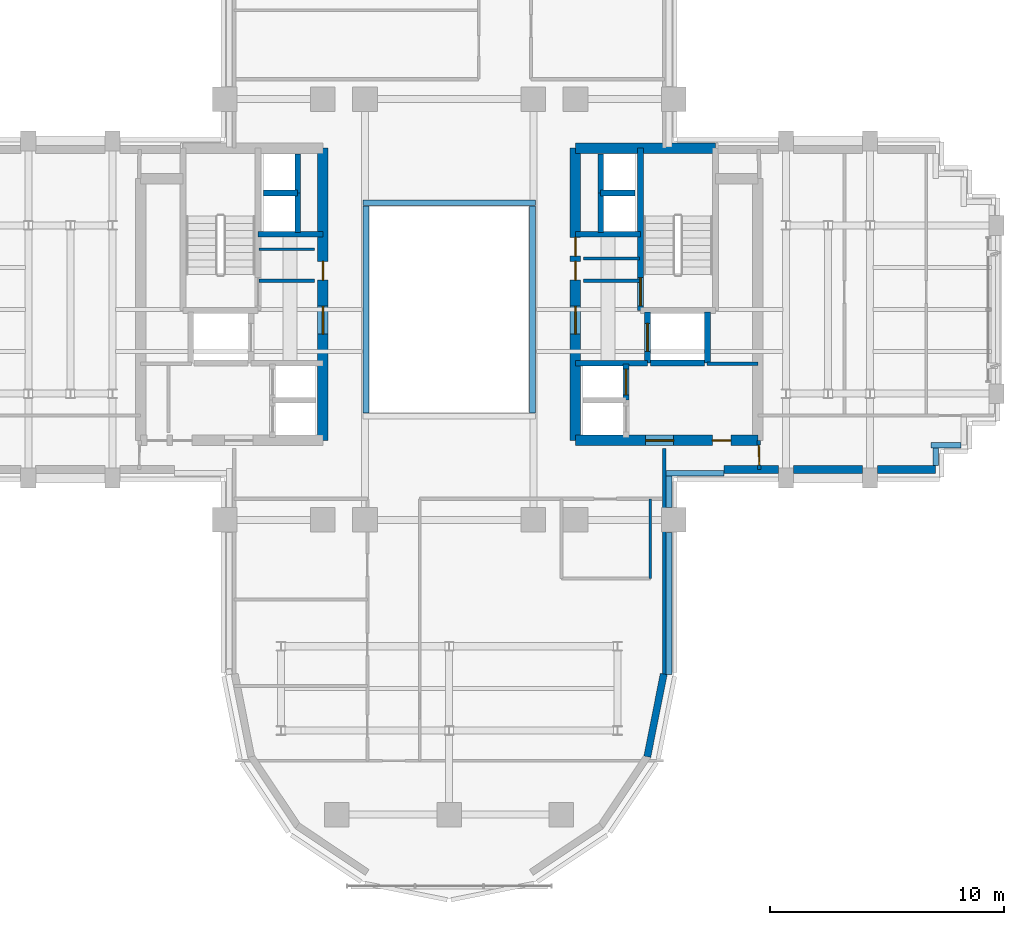
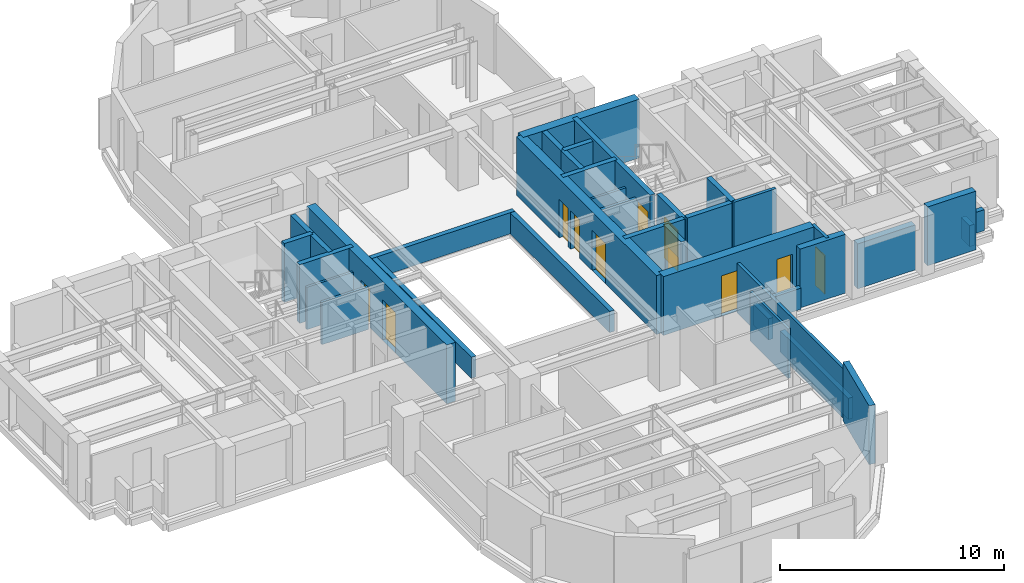
# One storey, part 9 of 14: 38 walls, 11 doors, 11 openings.
"""IFC4 building model written with IfcOpenShell, lengths in metres."""

from ifc_helpers import new_model, si_unit, direction, frame, frame_2d, origin, place, context, subcontext, project, spatial, rectangle, extrude, source, transform, mapped, material, layer, layer_set, type_object, element, fill, save


model = new_model("IFC4")

# Units and contexts
model_context = context("Model", 3, precision=1e-05, world=origin(), true_north=direction((0.0, 1.0)))
body_context = subcontext(model_context, "Body", "Model", "MODEL_VIEW")
ifc_project = project(units=[si_unit("LENGTHUNIT", "METRE"), si_unit("AREAUNIT", "SQUARE_METRE"), si_unit("VOLUMEUNIT", "CUBIC_METRE"), si_unit("PLANEANGLEUNIT", "RADIAN"), si_unit("MASSUNIT", "GRAM", prefix="KILO")], contexts=[model_context])

# Site, building, storey
site_placement = place(None, origin())
site = spatial("IfcSite", under=ifc_project, at=site_placement, CompositionType="ELEMENT")
building_placement = place(site_placement, origin())
building = spatial("IfcBuilding", under=site, at=building_placement, Name="Keilestroom Media Tower", CompositionType="ELEMENT")
storey_placement = place(building_placement, frame((0.0, 0.0, 127.800048828125)))
storey = spatial("IfcBuildingStorey", under=building, at=storey_placement, Name="L34", CompositionType="ELEMENT", Elevation=127.800048828125)

# Walls
ifc_material_1 = material(Name="Precast concrete C40/50", Category="concrete")
ifc_layer_1 = layer(ifc_material_1, 0.300048828125)
ifc_layer_set_1 = layer_set([ifc_layer_1], Name="Precast concrete C40/50")
wall_type_1 = type_object("IfcWallType", Name="Exterior-Masonry-Spandrel-Wall-300", PredefinedType="SOLIDWALL", material=ifc_layer_set_1)
wall_1_placement = place(storey_placement, frame((8.470703125, -19.12451171875, 0.0), z_axis=(0.0, 0.0, 1.0), x_axis=(0.195114232679, 0.980780523974, 0.0)))
element("IfcWall", 1, at=wall_1_placement, inside=storey, type_object=wall_type_1, Name="L34 Lobe Facet Precast Frame Wall 12", PredefinedType="SOLIDWALL", context=body_context, shape_type="SweptSolid", body=[
    extrude(rectangle(XDim=3.608642578125, YDim=0.300048828125, at=frame_2d((1.80419921875, 0.0))), origin(), (0.0, 0.0, 1.0), 3.199951171875),
])
ifc_layer_2 = layer(ifc_material_1, 0.340087890625)
ifc_layer_set_2 = layer_set([ifc_layer_2], Name="Precast concrete C40/50")
wall_type_2 = type_object("IfcWallType", Name="Exterior-Masonry-Spandrel-Wall-340", PredefinedType="SOLIDWALL", material=ifc_layer_set_2)
wall_2_placement = place(storey_placement, frame((11.75, -6.85009765625, 0.0), z_axis=(0.0, 0.0, 1.0), x_axis=(1.0, 0.0, 0.0)))
element("IfcWall", 2, at=wall_2_placement, inside=storey, type_object=wall_type_2, Name="L34 Flank Masonry Wall EWL-L34-SE-1", PredefinedType="SOLIDWALL", context=body_context, shape_type="SweptSolid", body=[
    extrude(rectangle(XDim=2.3330078125, YDim=0.340087890625, at=frame_2d((1.16650390625, 0.0))), origin(), (0.0, 0.0, 1.0), 3.199951171875),
])
wall_3_placement = place(storey_placement, frame((14.717041015625, -6.85009765625, 0.0), z_axis=(0.0, 0.0, 1.0), x_axis=(1.0, 0.0, 0.0)))
element("IfcWall", 3, at=wall_3_placement, inside=storey, type_object=wall_type_2, Name="L34 Flank Masonry Wall EWL-L34-SE-2", PredefinedType="SOLIDWALL", context=body_context, shape_type="SweptSolid", body=[
    extrude(rectangle(XDim=2.966064453125, YDim=0.340087890625, at=frame_2d((1.48291015625, 0.0))), origin(), (0.0, 0.0, 1.0), 2.449951171875),
])
wall_4_placement = place(storey_placement, frame((18.31689453125, -6.85009765625, 0.0), z_axis=(0.0, 0.0, 1.0), x_axis=(1.0, 0.0, 0.0)))
element("IfcWall", 4, at=wall_4_placement, inside=storey, type_object=wall_type_2, Name="L34 Flank Masonry Wall EWL-L34-SE-3", PredefinedType="SOLIDWALL", context=body_context, shape_type="SweptSolid", body=[
    extrude(rectangle(XDim=2.483154296875, YDim=0.340087890625, at=frame_2d((1.24169921875, 0.0))), origin(), (0.0, 0.0, 1.0), 3.199951171875),
])
ifc_material_2 = material(Name="Gypsum Plasterboard & Steel Stud", Category="steel")
ifc_layer_3 = layer(ifc_material_2, 0.1201171875)
ifc_layer_set_3 = layer_set([ifc_layer_3], Name="Gypsum Plasterboard & Steel Stud")
wall_type_3 = type_object("IfcWallType", Name="Interior-Partition-Wall-120", PredefinedType="PARTITIONING", material=ifc_layer_set_3)
for number, where, z_axis, x_axis, name in (
    (5, (-8.139892578125, 2.580078125, 0.0), (0.0, 0.0, 1.0), (1.0, 0.0, 0.0), "L34 Interior Wall WP-L34-CNW-N"),
    (6, (5.75, 2.179931640625, 0.0), (0.0, 0.0, 1.0), (1.0, 0.0, 0.0), "L34 Interior Wall WP-L34-CNE-N"),
):
    element("IfcWall", number, at=place(storey_placement, frame(where, z_axis=z_axis, x_axis=x_axis)), inside=storey, type_object=wall_type_3, Name=name, PredefinedType="PARTITIONING", context=body_context, shape_type="SweptSolid", body=[
        extrude(rectangle(XDim=2.389892578125, YDim=0.1201171875, at=frame_2d((1.19482421875, 0.0))), origin(), (0.0, 0.0, 1.0), 2.300048828125),
    ])
wall_5_placement = place(storey_placement, frame((8.60009765625, -11.5, 0.0), z_axis=(0.0, 0.0, 1.0), x_axis=(0.0, 1.0, 0.0)))
element("IfcWall", 7, at=wall_5_placement, inside=storey, type_object=wall_type_3, Name="L34 Interior Wall WP-L34-SL-WC-E", PredefinedType="PARTITIONING", context=body_context, shape_type="SweptSolid", body=[
    extrude(rectangle(XDim=3.39990234375, YDim=0.1201171875, at=frame_2d((1.699951171875, 0.0))), origin(), (0.0, 0.0, 1.0), 2.699951171875),
])
ifc_layer_4 = layer(ifc_material_2, 0.14990234375)
ifc_layer_set_4 = layer_set([ifc_layer_4], Name="Gypsum Plasterboard & Steel Stud")
wall_type_4 = type_object("IfcWallType", Name="Interior-Partition-Wall-150", PredefinedType="PARTITIONING", material=ifc_layer_set_4)
for number, where, z_axis, x_axis, name in (
    (8, (-8.139892578125, 1.239990234375, 0.0), (0.0, 0.0, 1.0), (1.0, 0.0, 0.0), "L34 Interior Wall WP-L34-FFW-TOP"),
    (9, (5.75, 1.239990234375, 0.0), (0.0, 0.0, 1.0), (1.0, 0.0, 0.0), "L34 Interior Wall WP-L34-FFE-TOP"),
):
    element("IfcWall", number, at=place(storey_placement, frame(where, z_axis=z_axis, x_axis=x_axis)), inside=storey, type_object=wall_type_4, Name=name, PredefinedType="PARTITIONING", context=body_context, shape_type="SweptSolid", body=[
        extrude(rectangle(XDim=2.389892578125, YDim=0.14990234375, at=frame_2d((1.19482421875, 0.0))), origin(), (0.0, 0.0, 1.0), 2.300048828125),
    ])
wall_6_placement = place(storey_placement, frame((11.02001953125, -2.320068359375, 0.0), z_axis=(0.0, 0.0, 1.0), x_axis=(1.0, 0.0, 0.0)))
element("IfcWall", 10, at=wall_6_placement, inside=storey, type_object=wall_type_4, Name="L34 Interior Wall WP-L34-RECLE-N", PredefinedType="PARTITIONING", context=body_context, shape_type="SweptSolid", body=[
    extrude(rectangle(XDim=2.179931640625, YDim=0.14990234375, at=frame_2d((1.08984375, 0.0))), origin(), (0.0, 0.0, 1.0), 3.199951171875),
])
wall_7_placement = place(storey_placement, frame((9.199951171875, -15.679931640625, 0.0), z_axis=(0.0, 0.0, 1.0), x_axis=(0.0, 1.0, 0.0)))
element("IfcWall", 11, at=wall_7_placement, inside=storey, type_object=wall_type_4, Name="L34 Interior Wall WP-L34-SL-CHKE", PredefinedType="PARTITIONING", context=body_context, shape_type="SweptSolid", body=[
    extrude(rectangle(XDim=9.739990234375, YDim=0.14990234375, at=frame_2d((4.8701171875, 0.0))), origin(), (0.0, 0.0, 1.0), 2.699951171875),
])

# Wall, opening, door
wall_8_placement = place(storey_placement, frame((13.260009765625, -6.85009765625, 0.0), z_axis=(0.0, 0.0, 1.0), x_axis=(-0.016013571389, 0.999871774545, 0.0)))
wall_8 = element("IfcWall", 12, at=wall_8_placement, inside=storey, type_object=wall_type_4, Name="L34 Interior Wall WP-L34-EA-ENTS", PredefinedType="PARTITIONING", context=body_context, shape_type="SweptSolid", body=[
    extrude(rectangle(XDim=1.250244140625, YDim=0.14990234375, at=frame_2d((0.625, 0.0))), origin(), (0.0, 0.0, 1.0), 3.199951171875),
])
opening_1_placement = place(wall_8_placement, frame((0.199951171875, 0.0, 0.0)))
opening_1 = element("IfcOpeningElement", 13, at=opening_1_placement, cuts=wall_8, Name="Opening DI-05", PredefinedType="OPENING", context=body_context, shape_type="SweptSolid", body=[
    extrude(rectangle(XDim=0.85009765625, YDim=2.10009765625, at=frame_2d((0.425048828125, 1.050048828125))), frame((0.0, 0.0849609375, 0.0), z_axis=(0.0, -1.0, 0.0), x_axis=(1.0, 0.0, 0.0)), (0.0, 0.0, 1.0), 0.169921875),
])
ifc_material_3 = material(Name="Moisture-Resistant Oak Leaf", Category="wood")
door_type_1 = type_object("IfcDoorType", Name="Interior-En-Suite-And-Cupboard-Door-DI-05", OperationType="NOTDEFINED", PredefinedType="DOOR", material=ifc_material_3)
shared_shape_1 = source(origin(), body_context, "Body", "SweptSolid", [
    extrude(rectangle(XDim=0.85009765625, YDim=2.10009765625, at=frame_2d((0.425048828125, 1.050048828125))), frame((0.0, 0.02490234375, 0.0), z_axis=(0.0, -1.0, 0.0), x_axis=(1.0, 0.0, 0.0)), (0.0, 0.0, 1.0), 0.050048828125),
])
door_1_placement = place(opening_1_placement, origin())
door_1 = element("IfcDoor", 14, at=door_1_placement, inside=storey, type_object=door_type_1, Name="L34 Interior Door DI-L34-DEA-ENTS", OperationType="SINGLE_SWING_RIGHT", OverallHeight=2.10009765625, OverallWidth=0.85009765625, PredefinedType="DOOR", context=body_context, shape_type="MappedRepresentation", body=[
    mapped(shared_shape_1, transform((0.0, 0.0, 0.0), x_axis=(1.0, 0.0, 0.0), y_axis=(0.0, 1.0, 0.0), z_axis=(0.0, 0.0, 1.0), scale=1.0)),
])
fill(opening_1, door_1)

# Wall, openings, doors
ifc_material_4 = material(Name="Concrete C55/67", Category="concrete")
ifc_layer_5 = layer(ifc_material_4, 0.449951171875)
ifc_layer_set_5 = layer_set([ifc_layer_5], Name="Concrete C55/67")
wall_type_5 = type_object("IfcWallType", Name="Reinforced-Concrete-Core-Shear-Wall-450", PredefinedType="SHEAR", material=ifc_layer_set_5)
wall_9_placement = place(storey_placement, frame((-5.39990234375, -5.60009765625, 0.0), z_axis=(0.0, 0.0, 1.0), x_axis=(0.0, 1.0, 0.0)))
wall_9 = element("IfcWall", 15, at=wall_9_placement, inside=storey, type_object=wall_type_5, Name="L34 Core Shear Wall WL-L34-CORE-W-IN", PredefinedType="SHEAR", context=body_context, shape_type="SweptSolid", body=[
    extrude(rectangle(XDim=12.5, YDim=0.449951171875, at=frame_2d((6.25, 0.0))), origin(), (0.0, 0.0, 1.0), 3.199951171875),
])
opening_2_placement = place(wall_9_placement, frame((4.550048828125, 0.0, 0.0)))
opening_2 = element("IfcOpeningElement", 16, at=opening_2_placement, cuts=wall_9, Name="Opening DI-02", PredefinedType="OPENING", context=body_context, shape_type="SweptSolid", body=[
    extrude(rectangle(XDim=1.199951171875, YDim=2.199951171875, at=frame_2d((0.60009765625, 1.10009765625))), frame((0.0, 0.23486328125, 0.0), z_axis=(0.0, -1.0, 0.0), x_axis=(1.0, 0.0, 0.0)), (0.0, 0.0, 1.0), 0.469970703125),
])
opening_3_placement = place(wall_9_placement, frame((6.860107421875, 0.0, 0.0)))
opening_3 = element("IfcOpeningElement", 17, at=opening_3_placement, cuts=wall_9, Name="Opening DI-06", PredefinedType="OPENING", context=body_context, shape_type="SweptSolid", body=[
    extrude(rectangle(XDim=0.800048828125, YDim=2.10009765625, at=frame_2d((0.39990234375, 1.050048828125))), frame((0.0, 0.23486328125, 0.0), z_axis=(0.0, -1.0, 0.0), x_axis=(1.0, 0.0, 0.0)), (0.0, 0.0, 1.0), 0.469970703125),
])
ifc_material_5 = material(Name="Powder-Coated Steel Fire Leaf", Category="steel")
door_type_2 = type_object("IfcDoorType", Name="Interior-Compartment-Fire-Door-DI-02", OperationType="NOTDEFINED", PredefinedType="DOOR", material=ifc_material_5)
shared_shape_2 = source(origin(), body_context, "Body", "SweptSolid", [
    extrude(rectangle(XDim=1.199951171875, YDim=2.199951171875, at=frame_2d((0.60009765625, 1.10009765625))), frame((0.0, 0.02490234375, 0.0), z_axis=(0.0, -1.0, 0.0), x_axis=(1.0, 0.0, 0.0)), (0.0, 0.0, 1.0), 0.050048828125),
])
door_2_placement = place(opening_2_placement, origin())
door_2 = element("IfcDoor", 18, at=door_2_placement, inside=storey, type_object=door_type_2, Name="L34 W Firefighting Lobby Door", OperationType="SINGLE_SWING_RIGHT", OverallHeight=2.199951171875, OverallWidth=1.199951171875, PredefinedType="DOOR", context=body_context, shape_type="MappedRepresentation", body=[
    mapped(shared_shape_2, transform((0.0, 0.0, 0.0), x_axis=(1.0, 0.0, 0.0), y_axis=(0.0, 1.0, 0.0), z_axis=(0.0, 0.0, 1.0), scale=1.0)),
])
fill(opening_2, door_2)
ifc_material_6 = material(Name="Powder-Coated Steel Service Leaf", Category="steel")
door_type_3 = type_object("IfcDoorType", Name="Interior-Riser-Access-Door-DI-06", OperationType="NOTDEFINED", PredefinedType="DOOR", material=ifc_material_6)
shared_shape_3 = source(origin(), body_context, "Body", "SweptSolid", [
    extrude(rectangle(XDim=0.800048828125, YDim=2.10009765625, at=frame_2d((0.39990234375, 1.050048828125))), frame((0.0, 0.02490234375, 0.0), z_axis=(0.0, -1.0, 0.0), x_axis=(1.0, 0.0, 0.0)), (0.0, 0.0, 1.0), 0.050048828125),
])
door_3_placement = place(opening_3_placement, origin())
door_3 = element("IfcDoor", 19, at=door_3_placement, inside=storey, type_object=door_type_3, Name="L34 West Core Switchroom Door", OperationType="SINGLE_SWING_LEFT", OverallHeight=2.10009765625, OverallWidth=0.800048828125, PredefinedType="DOOR", context=body_context, shape_type="MappedRepresentation", body=[
    mapped(shared_shape_3, transform((0.0, 0.0, 0.0), x_axis=(1.0, 0.0, 0.0), y_axis=(0.0, 1.0, 0.0), z_axis=(0.0, 0.0, 1.0), scale=1.0)),
])
fill(opening_3, door_3)

wall_10_placement = place(storey_placement, frame((5.39990234375, -5.60009765625, 0.0), z_axis=(0.0, 0.0, 1.0), x_axis=(0.0, 1.0, 0.0)))
wall_10 = element("IfcWall", 20, at=wall_10_placement, inside=storey, type_object=wall_type_5, Name="L34 Core Shear Wall WL-L34-CORE-E-IN", PredefinedType="SHEAR", context=body_context, shape_type="SweptSolid", body=[
    extrude(rectangle(XDim=12.5, YDim=0.449951171875, at=frame_2d((6.25, 0.0))), origin(), (0.0, 0.0, 1.0), 3.199951171875),
])
opening_4_placement = place(wall_10_placement, frame((4.550048828125, 0.0, 0.0)))
opening_4 = element("IfcOpeningElement", 21, at=opening_4_placement, cuts=wall_10, Name="Opening DI-02", PredefinedType="OPENING", context=body_context, shape_type="SweptSolid", body=[
    extrude(rectangle(XDim=1.199951171875, YDim=2.199951171875, at=frame_2d((0.60009765625, 1.10009765625))), frame((0.0, 0.23486328125, 0.0), z_axis=(0.0, -1.0, 0.0), x_axis=(1.0, 0.0, 0.0)), (0.0, 0.0, 1.0), 0.469970703125),
])
opening_5_placement = place(wall_10_placement, frame((6.860107421875, 0.0, 0.0)))
opening_5 = element("IfcOpeningElement", 22, at=opening_5_placement, cuts=wall_10, Name="Opening DI-06", PredefinedType="OPENING", context=body_context, shape_type="SweptSolid", body=[
    extrude(rectangle(XDim=0.800048828125, YDim=2.10009765625, at=frame_2d((0.39990234375, 1.050048828125))), frame((0.0, 0.23486328125, 0.0), z_axis=(0.0, -1.0, 0.0), x_axis=(1.0, 0.0, 0.0)), (0.0, 0.0, 1.0), 0.469970703125),
])
opening_6_placement = place(wall_10_placement, frame((7.8798828125, 0.0, 0.0)))
opening_6 = element("IfcOpeningElement", 23, at=opening_6_placement, cuts=wall_10, Name="Opening DI-06", PredefinedType="OPENING", context=body_context, shape_type="SweptSolid", body=[
    extrude(rectangle(XDim=0.800048828125, YDim=2.10009765625, at=frame_2d((0.39990234375, 1.050048828125))), frame((0.0, 0.23486328125, 0.0), z_axis=(0.0, -1.0, 0.0), x_axis=(1.0, 0.0, 0.0)), (0.0, 0.0, 1.0), 0.469970703125),
])
door_4_placement = place(opening_4_placement, origin())
door_4 = element("IfcDoor", 24, at=door_4_placement, inside=storey, type_object=door_type_2, Name="L34 E Firefighting Lobby Door", OperationType="SINGLE_SWING_LEFT", OverallHeight=2.199951171875, OverallWidth=1.199951171875, PredefinedType="DOOR", context=body_context, shape_type="MappedRepresentation", body=[
    mapped(shared_shape_2, transform((0.0, 0.0, 0.0), x_axis=(1.0, 0.0, 0.0), y_axis=(0.0, 1.0, 0.0), z_axis=(0.0, 0.0, 1.0), scale=1.0)),
])
fill(opening_4, door_4)
door_5_placement = place(opening_5_placement, origin())
door_5 = element("IfcDoor", 25, at=door_5_placement, inside=storey, type_object=door_type_3, Name="L34 East Core Telecom Door", OperationType="SINGLE_SWING_RIGHT", OverallHeight=2.10009765625, OverallWidth=0.800048828125, PredefinedType="DOOR", context=body_context, shape_type="MappedRepresentation", body=[
    mapped(shared_shape_3, transform((0.0, 0.0, 0.0), x_axis=(1.0, 0.0, 0.0), y_axis=(0.0, 1.0, 0.0), z_axis=(0.0, 0.0, 1.0), scale=1.0)),
])
fill(opening_5, door_5)
door_6_placement = place(opening_6_placement, origin())
door_6 = element("IfcDoor", 26, at=door_6_placement, inside=storey, type_object=door_type_3, Name="L34 East Core Closet Door", OperationType="SINGLE_SWING_RIGHT", OverallHeight=2.10009765625, OverallWidth=0.800048828125, PredefinedType="DOOR", context=body_context, shape_type="MappedRepresentation", body=[
    mapped(shared_shape_3, transform((0.0, 0.0, 0.0), x_axis=(1.0, 0.0, 0.0), y_axis=(0.0, 1.0, 0.0), z_axis=(0.0, 0.0, 1.0), scale=1.0)),
])
fill(opening_6, door_6)

# Wall
wall_11_placement = place(storey_placement, frame((5.39990234375, 6.89990234375, 0.0), z_axis=(0.0, 0.0, 1.0), x_axis=(1.0, 0.0, 0.0)))
element("IfcWall", 27, at=wall_11_placement, inside=storey, type_object=wall_type_5, Name="L34 Core Shear Wall WL-L34-CORE-E-N", PredefinedType="SHEAR", context=body_context, shape_type="SweptSolid", body=[
    extrude(rectangle(XDim=5.981201171875, YDim=0.449951171875, at=frame_2d((2.99072265625, 0.0))), origin(), (0.0, 0.0, 1.0), 3.199951171875),
])

# Wall, openings, doors
wall_12_placement = place(storey_placement, frame((5.39990234375, -5.60009765625, 0.0), z_axis=(0.0, 0.0, 1.0), x_axis=(1.0, 0.0, 0.0)))
wall_12 = element("IfcWall", 28, at=wall_12_placement, inside=storey, type_object=wall_type_5, Name="L34 Core Shear Wall WL-L34-CORE-E-S", PredefinedType="SHEAR", context=body_context, shape_type="SweptSolid", body=[
    extrude(rectangle(XDim=7.800048828125, YDim=0.449951171875, at=frame_2d((3.89990234375, 0.0))), origin(), (0.0, 0.0, 1.0), 3.199951171875),
])
opening_7_placement = place(wall_12_placement, frame((3.0, 0.0, 0.0)))
opening_7 = element("IfcOpeningElement", 29, at=opening_7_placement, cuts=wall_12, Name="Opening DI-02", PredefinedType="OPENING", context=body_context, shape_type="SweptSolid", body=[
    extrude(rectangle(XDim=1.199951171875, YDim=2.199951171875, at=frame_2d((0.60009765625, 1.10009765625))), frame((0.0, 0.23486328125, 0.0), z_axis=(0.0, -1.0, 0.0), x_axis=(1.0, 0.0, 0.0)), (0.0, 0.0, 1.0), 0.469970703125),
])
opening_8_placement = place(wall_12_placement, frame((5.85009765625, 0.0, 0.0)))
opening_8 = element("IfcOpeningElement", 30, at=opening_8_placement, cuts=wall_12, Name="Opening DI-06", PredefinedType="OPENING", context=body_context, shape_type="SweptSolid", body=[
    extrude(rectangle(XDim=0.800048828125, YDim=2.10009765625, at=frame_2d((0.39990234375, 1.050048828125))), frame((0.0, 0.23486328125, 0.0), z_axis=(0.0, -1.0, 0.0), x_axis=(1.0, 0.0, 0.0)), (0.0, 0.0, 1.0), 0.469970703125),
])
door_7_placement = place(opening_7_placement, origin())
door_7 = element("IfcDoor", 31, at=door_7_placement, inside=storey, type_object=door_type_2, Name="L34 E Passenger Lift Lobby Door", OperationType="SINGLE_SWING_RIGHT", OverallHeight=2.199951171875, OverallWidth=1.199951171875, PredefinedType="DOOR", context=body_context, shape_type="MappedRepresentation", body=[
    mapped(shared_shape_2, transform((0.0, 0.0, 0.0), x_axis=(1.0, 0.0, 0.0), y_axis=(0.0, 1.0, 0.0), z_axis=(0.0, 0.0, 1.0), scale=1.0)),
])
fill(opening_7, door_7)
door_8_placement = place(opening_8_placement, origin())
door_8 = element("IfcDoor", 32, at=door_8_placement, inside=storey, type_object=door_type_3, Name="L34 Reclaimed East Core Room Door", OperationType="SINGLE_SWING_RIGHT", OverallHeight=2.10009765625, OverallWidth=0.800048828125, PredefinedType="DOOR", context=body_context, shape_type="MappedRepresentation", body=[
    mapped(shared_shape_3, transform((0.0, 0.0, 0.0), x_axis=(1.0, 0.0, 0.0), y_axis=(0.0, 1.0, 0.0), z_axis=(0.0, 0.0, 1.0), scale=1.0)),
])
fill(opening_8, door_8)

# Walls
ifc_material_7 = material(Name="Concrete C50/60", Category="concrete")
ifc_layer_6 = layer(ifc_material_7, 0.25)
ifc_layer_set_6 = layer_set([ifc_layer_6], Name="Concrete C50/60")
wall_type_6 = type_object("IfcWallType", Name="Reinforced-Concrete-Shaft-Wall-250", PredefinedType="SOLIDWALL", material=ifc_layer_set_6)
for number, where, z_axis, x_axis, name in (
    (33, (-8.179931640625, 3.219970703125, 0.0), (0.0, 0.0, 1.0), (1.0, 0.0, 0.0), "L34 Core Shear Wall WL-L34-CORE-W-FFN"),
    (34, (5.39990234375, 3.219970703125, 0.0), (0.0, 0.0, 1.0), (1.0, 0.0, 0.0), "L34 Core Shear Wall WL-L34-CORE-E-FFN"),
):
    element("IfcWall", number, at=place(storey_placement, frame(where, z_axis=z_axis, x_axis=x_axis)), inside=storey, type_object=wall_type_6, Name=name, PredefinedType="SOLIDWALL", context=body_context, shape_type="SweptSolid", body=[
        extrude(rectangle(XDim=2.780029296875, YDim=0.25, at=frame_2d((1.39013671875, 0.0))), origin(), (0.0, 0.0, 1.0), 3.199951171875),
    ])
wall_13_placement = place(storey_placement, frame((5.39990234375, -2.300048828125, 0.0), z_axis=(0.0, 0.0, 1.0), x_axis=(1.0, 0.0, 0.0)))
element("IfcWall", 35, at=wall_13_placement, inside=storey, type_object=wall_type_6, Name="L34 Core Shear Wall WL-L34-CORE-E-FFS", PredefinedType="SOLIDWALL", context=body_context, shape_type="SweptSolid", body=[
    extrude(rectangle(XDim=3.080078125, YDim=0.25, at=frame_2d((1.5400390625, 0.0))), origin(), (0.0, 0.0, 1.0), 3.199951171875),
])

# Wall, opening, door
wall_14_placement = place(storey_placement, frame((8.178955078125, -0.041015625, 0.0), z_axis=(0.0, 0.0, 1.0), x_axis=(0.0, 1.0, 0.0)))
wall_14 = element("IfcWall", 36, at=wall_14_placement, inside=storey, type_object=wall_type_6, Name="L34 Core Shear Wall WL-L34-STW-E-NEAR", PredefinedType="SOLIDWALL", context=body_context, shape_type="SweptSolid", body=[
    extrude(rectangle(XDim=6.94091796875, YDim=0.25, at=frame_2d((3.470458984375, 0.0))), origin(), (0.0, 0.0, 1.0), 3.199951171875),
])
opening_9_placement = place(wall_14_placement, frame((0.199951171875, 0.0, 0.0)))
opening_9 = element("IfcOpeningElement", 37, at=opening_9_placement, cuts=wall_14, Name="Opening DI-01S", PredefinedType="OPENING", context=body_context, shape_type="SweptSolid", body=[
    extrude(rectangle(XDim=1.199951171875, YDim=2.199951171875, at=frame_2d((0.60009765625, 1.10009765625))), frame((0.0, 0.135009765625, 0.0), z_axis=(0.0, -1.0, 0.0), x_axis=(1.0, 0.0, 0.0)), (0.0, 0.0, 1.0), 0.27001953125),
])
door_type_4 = type_object("IfcDoorType", Name="Interior-Stair-And-Core-Fire-Door-DI-01", OperationType="NOTDEFINED", PredefinedType="DOOR", material=ifc_material_5)
door_9_placement = place(opening_9_placement, origin())
door_9 = element("IfcDoor", 38, at=door_9_placement, inside=storey, type_object=door_type_4, Name="L34 Escape Stair ST-2 Fire Door", OperationType="SINGLE_SWING_RIGHT", OverallHeight=2.199951171875, OverallWidth=1.199951171875, PredefinedType="DOOR", context=body_context, shape_type="MappedRepresentation", body=[
    mapped(shared_shape_2, transform((0.0, 0.0, 0.0), x_axis=(1.0, 0.0, 0.0), y_axis=(0.0, 1.0, 0.0), z_axis=(0.0, 0.0, 1.0), scale=1.0)),
])
fill(opening_9, door_9)

wall_15_placement = place(storey_placement, frame((8.47998046875, -2.280029296875, 0.0), z_axis=(0.0, 0.0, 1.0), x_axis=(0.0, 1.0, 0.0)))
wall_15 = element("IfcWall", 39, at=wall_15_placement, inside=storey, type_object=wall_type_6, Name="L34 Core Shear Wall WL-L34-LSH-FFL-2-W", PredefinedType="SOLIDWALL", context=body_context, shape_type="SweptSolid", body=[
    extrude(rectangle(XDim=2.179931640625, YDim=0.25, at=frame_2d((1.08984375, 0.0))), origin(), (0.0, 0.0, 1.0), 3.199951171875),
])
opening_10_placement = place(wall_15_placement, frame((0.489990234375, 0.0, 0.0)))
opening_10 = element("IfcOpeningElement", 40, at=opening_10_placement, cuts=wall_15, Name="Opening LD-02", PredefinedType="OPENING", context=body_context, shape_type="SweptSolid", body=[
    extrude(rectangle(XDim=1.199951171875, YDim=2.199951171875, at=frame_2d((0.60009765625, 1.10009765625))), frame((0.0, 0.135009765625, 0.0), z_axis=(0.0, -1.0, 0.0), x_axis=(1.0, 0.0, 0.0)), (0.0, 0.0, 1.0), 0.27001953125),
])
ifc_material_8 = material(Name="Brushed Stainless Steel Sliding Leaf", Category="steel")
door_type_5 = type_object("IfcDoorType", Name="Lift-Landing-Sliding-Door-LD-02", OperationType="SLIDING_TO_RIGHT", PredefinedType="DOOR", material=ifc_material_8)
door_10_placement = place(opening_10_placement, origin())
door_10 = element("IfcDoor", 41, at=door_10_placement, inside=storey, type_object=door_type_5, Name="L34 Lift FFL-2 Landing Sliding Door", OperationType="SLIDING_TO_RIGHT", OverallHeight=2.199951171875, OverallWidth=1.199951171875, PredefinedType="DOOR", context=body_context, shape_type="MappedRepresentation", body=[
    mapped(shared_shape_2, transform((0.0, 0.0, 0.0), x_axis=(1.0, 0.0, 0.0), y_axis=(0.0, 1.0, 0.0), z_axis=(0.0, 0.0, 1.0), scale=1.0)),
])
fill(opening_10, door_10)

# Walls
wall_16_placement = place(storey_placement, frame((11.050048828125, -2.280029296875, 0.0), z_axis=(0.0, 0.0, 1.0), x_axis=(0.0, 1.0, 0.0)))
element("IfcWall", 42, at=wall_16_placement, inside=storey, type_object=wall_type_6, Name="L34 Core Shear Wall WL-L34-LSH-FFL-2-E", PredefinedType="SOLIDWALL", context=body_context, shape_type="SweptSolid", body=[
    extrude(rectangle(XDim=2.179931640625, YDim=0.25, at=frame_2d((1.08984375, 0.0))), origin(), (0.0, 0.0, 1.0), 3.199951171875),
])
wall_17_placement = place(storey_placement, frame((8.60888671875, -2.280029296875, 0.0), z_axis=(0.0, 0.0, 1.0), x_axis=(1.0, 0.0, 0.0)))
element("IfcWall", 43, at=wall_17_placement, inside=storey, type_object=wall_type_6, Name="L34 Core Shear Wall WL-L34-LSH-FFL-2-S", PredefinedType="SOLIDWALL", context=body_context, shape_type="SweptSolid", body=[
    extrude(rectangle(XDim=2.31201171875, YDim=0.25, at=frame_2d((1.156005859375, 0.0))), origin(), (0.0, 0.0, 1.0), 3.199951171875),
])

# Wall, opening, door
wall_18_placement = place(storey_placement, frame((7.56005859375, -3.8798828125, 0.0), z_axis=(0.0, 0.0, 1.0), x_axis=(0.0, 1.0, 0.0)))
wall_18 = element("IfcWall", 44, at=wall_18_placement, inside=storey, type_object=wall_type_6, Name="L34 Core Shear Wall WL-L34-LSH-PL-M4-E", PredefinedType="SOLIDWALL", context=body_context, shape_type="SweptSolid", body=[
    extrude(rectangle(XDim=1.559814453125, YDim=0.25, at=frame_2d((0.77978515625, 0.0))), origin(), (0.0, 0.0, 1.0), 3.199951171875),
])
opening_11_placement = place(wall_18_placement, frame((0.22998046875, 0.0, 0.0)))
opening_11 = element("IfcOpeningElement", 45, at=opening_11_placement, cuts=wall_18, Name="Opening LD-01", PredefinedType="OPENING", context=body_context, shape_type="SweptSolid", body=[
    extrude(rectangle(XDim=1.10009765625, YDim=2.199951171875, at=frame_2d((0.550048828125, 1.10009765625))), frame((0.0, 0.135009765625, 0.0), z_axis=(0.0, -1.0, 0.0), x_axis=(1.0, 0.0, 0.0)), (0.0, 0.0, 1.0), 0.27001953125),
])
door_type_6 = type_object("IfcDoorType", Name="Lift-Landing-Sliding-Door-LD-01", OperationType="SLIDING_TO_LEFT", PredefinedType="DOOR", material=ifc_material_8)
shared_shape_4 = source(origin(), body_context, "Body", "SweptSolid", [
    extrude(rectangle(XDim=1.10009765625, YDim=2.199951171875, at=frame_2d((0.550048828125, 1.10009765625))), frame((0.0, 0.02490234375, 0.0), z_axis=(0.0, -1.0, 0.0), x_axis=(1.0, 0.0, 0.0)), (0.0, 0.0, 1.0), 0.050048828125),
])
door_11_placement = place(opening_11_placement, origin())
door_11 = element("IfcDoor", 46, at=door_11_placement, inside=storey, type_object=door_type_6, Name="L34 Lift PL-M4 Landing Sliding Door", OperationType="SLIDING_TO_LEFT", OverallHeight=2.199951171875, OverallWidth=1.10009765625, PredefinedType="DOOR", context=body_context, shape_type="MappedRepresentation", body=[
    mapped(shared_shape_4, transform((0.0, 0.0, 0.0), x_axis=(1.0, 0.0, 0.0), y_axis=(0.0, 1.0, 0.0), z_axis=(0.0, 0.0, 1.0), scale=1.0)),
])
fill(opening_11, door_11)

# Walls
wall_19_placement = place(storey_placement, frame((-6.47998046875, 3.300048828125, 0.0), z_axis=(0.0, 0.0, 1.0), x_axis=(0.0, 1.0, 0.0)))
element("IfcWall", 47, at=wall_19_placement, inside=storey, type_object=wall_type_6, Name="L34 Core Shear Wall WL-L34-LSH-PL-H1-E", PredefinedType="SOLIDWALL", context=body_context, shape_type="SweptSolid", body=[
    extrude(rectangle(XDim=1.679931640625, YDim=0.25, at=frame_2d((0.83984375, 0.0))), origin(), (0.0, 0.0, 1.0), 3.199951171875),
])
wall_20_placement = place(storey_placement, frame((-7.949951171875, 4.97998046875, 0.0), z_axis=(0.0, 0.0, 1.0), x_axis=(1.0, 0.0, 0.0)))
element("IfcWall", 48, at=wall_20_placement, inside=storey, type_object=wall_type_6, Name="L34 Core Shear Wall WL-L34-LSH-PL-H1-N", PredefinedType="SOLIDWALL", context=body_context, shape_type="SweptSolid", body=[
    extrude(rectangle(XDim=1.469970703125, YDim=0.25, at=frame_2d((0.73486328125, 0.0))), origin(), (0.0, 0.0, 1.0), 3.199951171875),
])
wall_21_placement = place(storey_placement, frame((-6.47998046875, 4.97998046875, 0.0), z_axis=(0.0, 0.0, 1.0), x_axis=(0.0, 1.0, 0.0)))
element("IfcWall", 49, at=wall_21_placement, inside=storey, type_object=wall_type_6, Name="L34 Core Shear Wall WL-L34-LSH-PL-H2-E", PredefinedType="SOLIDWALL", context=body_context, shape_type="SweptSolid", body=[
    extrude(rectangle(XDim=1.669921875, YDim=0.25, at=frame_2d((0.8349609375, 0.0))), origin(), (0.0, 0.0, 1.0), 3.199951171875),
])
wall_22_placement = place(storey_placement, frame((6.47998046875, 3.300048828125, 0.0), z_axis=(0.0, 0.0, 1.0), x_axis=(0.0, 1.0, 0.0)))
element("IfcWall", 50, at=wall_22_placement, inside=storey, type_object=wall_type_6, Name="L34 Core Shear Wall WL-L34-LSH-PL-H3-W", PredefinedType="SOLIDWALL", context=body_context, shape_type="SweptSolid", body=[
    extrude(rectangle(XDim=1.679931640625, YDim=0.25, at=frame_2d((0.83984375, 0.0))), origin(), (0.0, 0.0, 1.0), 3.199951171875),
])
wall_23_placement = place(storey_placement, frame((6.47998046875, 4.97998046875, 0.0), z_axis=(0.0, 0.0, 1.0), x_axis=(1.0, 0.0, 0.0)))
element("IfcWall", 51, at=wall_23_placement, inside=storey, type_object=wall_type_6, Name="L34 Core Shear Wall WL-L34-LSH-PL-H3-N", PredefinedType="SOLIDWALL", context=body_context, shape_type="SweptSolid", body=[
    extrude(rectangle(XDim=1.469970703125, YDim=0.25, at=frame_2d((0.73486328125, 0.0))), origin(), (0.0, 0.0, 1.0), 3.199951171875),
])
wall_24_placement = place(storey_placement, frame((6.47998046875, 4.97998046875, 0.0), z_axis=(0.0, 0.0, 1.0), x_axis=(0.0, 1.0, 0.0)))
element("IfcWall", 52, at=wall_24_placement, inside=storey, type_object=wall_type_6, Name="L34 Core Shear Wall WL-L34-LSH-PL-H4-W", PredefinedType="SOLIDWALL", context=body_context, shape_type="SweptSolid", body=[
    extrude(rectangle(XDim=1.669921875, YDim=0.25, at=frame_2d((0.8349609375, 0.0))), origin(), (0.0, 0.0, 1.0), 3.199951171875),
])
ifc_layer_7 = layer(ifc_material_1, 0.239990234375)
ifc_layer_set_7 = layer_set([ifc_layer_7], Name="Precast concrete C40/50")
wall_type_7 = type_object("IfcWallType", Name="Roof-And-Terrace-Parapet-Wall-240", PredefinedType="PARAPET", material=ifc_layer_set_7)
wall_25_placement = place(storey_placement, frame((21.876953125, -5.800048828125, 0.0), z_axis=(0.0, 0.0, 1.0), x_axis=(-1.0, 0.0, 0.0)))
element("IfcWall", 53, at=wall_25_placement, inside=storey, type_object=wall_type_7, Name="L34 Perimeter Edge Parapet Wall 02", PredefinedType="PARAPET", context=body_context, shape_type="SweptSolid", body=[
    extrude(rectangle(XDim=1.27685546875, YDim=0.239990234375, at=frame_2d((0.638427734375, 0.0))), origin(), (0.0, 0.0, 1.0), 1.14990234375),
])
wall_26_placement = place(storey_placement, frame((20.800048828125, -5.923095703125, 0.0), z_axis=(0.0, 0.0, 1.0), x_axis=(0.0, -1.0, 0.0)))
element("IfcWall", 54, at=wall_26_placement, inside=storey, type_object=wall_type_7, Name="L34 Perimeter Edge Parapet Wall 03", PredefinedType="PARAPET", context=body_context, shape_type="SweptSolid", body=[
    extrude(rectangle(XDim=0.75390625, YDim=0.239990234375, at=frame_2d((0.376953125, 0.0))), origin(), (0.0, 0.0, 1.0), 1.14990234375),
])
wall_27_placement = place(storey_placement, frame((11.7470703125, -7.0, 0.0), z_axis=(0.0, 0.0, 1.0), x_axis=(-1.0, 0.0, 0.0)))
element("IfcWall", 55, at=wall_27_placement, inside=storey, type_object=wall_type_7, Name="L34 Perimeter Edge Parapet Wall 04", PredefinedType="PARAPET", context=body_context, shape_type="SweptSolid", body=[
    extrude(rectangle(XDim=2.468994140625, YDim=0.239990234375, at=frame_2d((1.234375, 0.0))), origin(), (0.0, 0.0, 1.0), 1.14990234375),
])
wall_28_placement = place(storey_placement, frame((9.39990234375, -7.123046875, 0.0), z_axis=(0.0, 0.0, 1.0), x_axis=(0.0, -1.0, 0.0)))
element("IfcWall", 56, at=wall_28_placement, inside=storey, type_object=wall_type_7, Name="L34 Perimeter Edge Parapet Wall 05", PredefinedType="PARAPET", context=body_context, shape_type="SweptSolid", body=[
    extrude(rectangle(XDim=1.348876953125, YDim=0.239990234375, at=frame_2d((0.67431640625, 0.0))), origin(), (0.0, 0.0, 1.0), 1.14990234375),
])
wall_29_placement = place(storey_placement, frame((9.39990234375, -9.528076171875, 0.0), z_axis=(0.0, 0.0, 1.0), x_axis=(0.0, -1.0, 0.0)))
element("IfcWall", 57, at=wall_29_placement, inside=storey, type_object=wall_type_7, Name="L34 Perimeter Edge Parapet Wall 06", PredefinedType="PARAPET", context=body_context, shape_type="SweptSolid", body=[
    extrude(rectangle(XDim=6.07470703125, YDim=0.239990234375, at=frame_2d((3.037353515625, 0.0))), origin(), (0.0, 0.0, 1.0), 1.14990234375),
])
wall_30_placement = place(storey_placement, frame((-3.679931640625, 4.56005859375, 0.0), z_axis=(0.0, 0.0, 1.0), x_axis=(1.0, 0.0, 0.0)))
element("IfcWall", 58, at=wall_30_placement, inside=storey, type_object=wall_type_7, Name="L34 Central Atrium Guard Parapet N", PredefinedType="PARAPET", context=body_context, shape_type="SweptSolid", body=[
    extrude(rectangle(XDim=7.35986328125, YDim=0.239990234375, at=frame_2d((3.679931640625, 0.0))), origin(), (0.0, 0.0, 1.0), 1.14990234375),
])
for number, where, z_axis, x_axis, name in (
    (59, (-3.56005859375, -4.43505859375, 0.0), (0.0, 0.0, 1.0), (0.0, 1.0, 0.0), "L34 Central Atrium Guard Parapet W"),
    (60, (3.56005859375, -4.43505859375, 0.0), (0.0, 0.0, 1.0), (0.0, 1.0, 0.0), "L34 Central Atrium Guard Parapet E"),
):
    element("IfcWall", number, at=place(storey_placement, frame(where, z_axis=z_axis, x_axis=x_axis)), inside=storey, type_object=wall_type_7, Name=name, PredefinedType="PARAPET", context=body_context, shape_type="SweptSolid", body=[
        extrude(rectangle(XDim=8.8701171875, YDim=0.239990234375, at=frame_2d((4.43505859375, 0.0))), origin(), (0.0, 0.0, 1.0), 1.14990234375),
    ])

save(model, "model.ifc")
